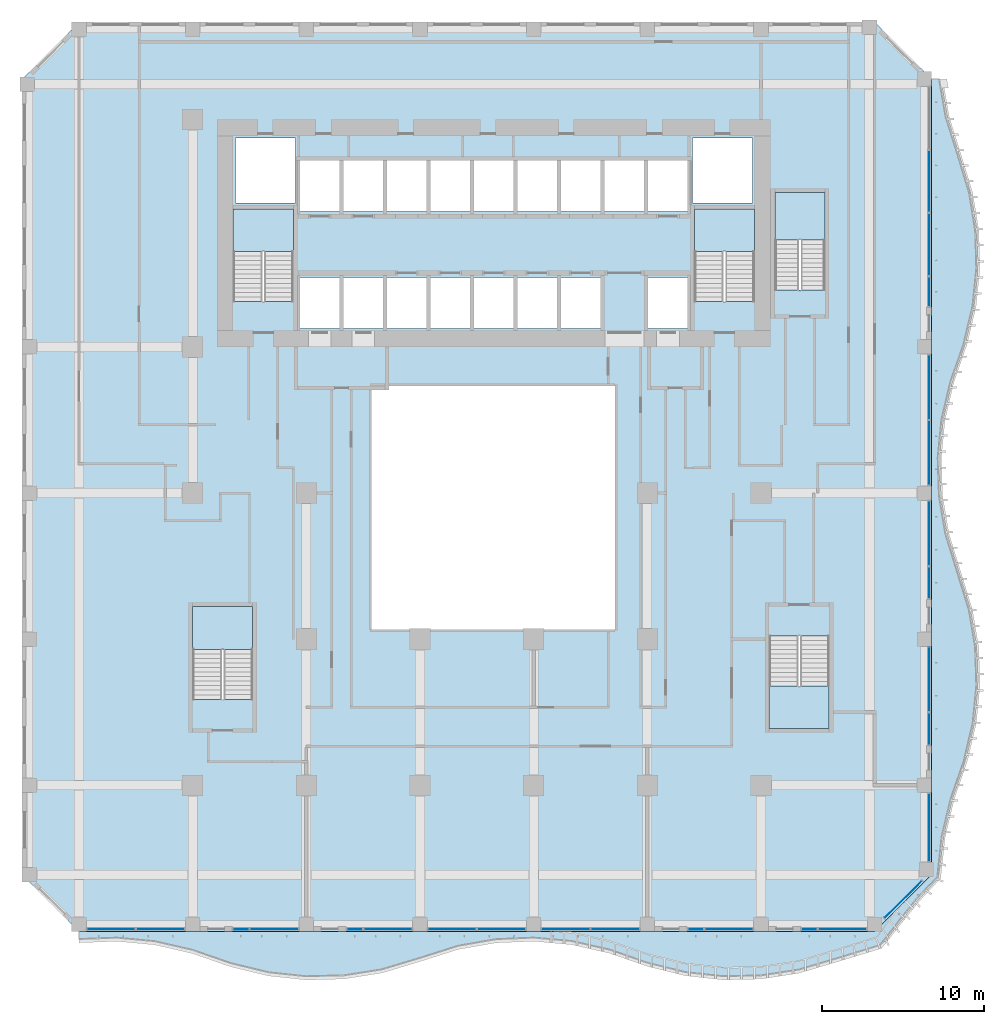
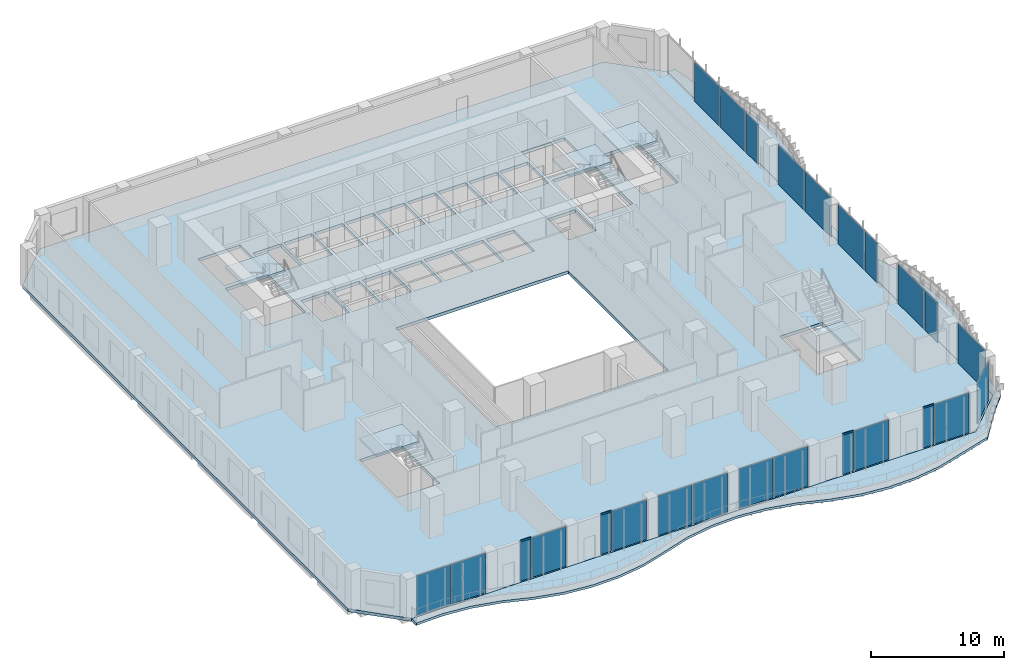
# One storey, part 9 of 25: 25 plates, 7 slabs, 4 members, 30 elements without a shape of their own.
"""IFC4 building model written with IfcOpenShell, lengths in metres."""

import ifcopenshell
import ifcopenshell.guid

model = None  # the IFC model being written
_history = None  # IfcOwnerHistory: only IFC2X3 demands one
_inside = {}  # id of a spatial element -> (the spatial element, [elements in it])
_under = {}  # id of a project, library or spatial element -> (it, [spatial elements below it])
_declared = {}  # id of a project -> (the project, [libraries it declares])
_typed = {}  # id of a type object -> (the type object, [elements of that type])
_made_of = {}  # id of a material, layer set ... -> (it, [elements and type objects made of it])


def new_model(schema):
    """Start an empty IFC model of exactly this schema.

    Asked for "IFC4X3", IfcOpenShell would pick the latest addendum, in which some entities
    have other attributes; the version numbers below select the first issue.
    IFC2X3 requires an IfcOwnerHistory on every rooted entity: one is made here for all.
    """
    global model, _history
    if schema == "IFC4X3":
        model = ifcopenshell.file(schema_version=(4, 3, 0, 0))
    else:
        model = ifcopenshell.file(schema=schema)
    _inside.clear()
    _under.clear()
    _declared.clear()
    _typed.clear()
    _made_of.clear()
    _history = None
    if model.schema == "IFC2X3":
        org = make("IfcOrganization", Name="unknown")
        user = make(
            "IfcPersonAndOrganization",
            ThePerson=make("IfcPerson", FamilyName="unknown"),
            TheOrganization=org,
        )
        app = make(
            "IfcApplication",
            ApplicationDeveloper=org,
            Version="unknown",
            ApplicationFullName="unknown",
            ApplicationIdentifier="unknown",
        )
        _history = make(
            "IfcOwnerHistory",
            OwningUser=user,
            OwningApplication=app,
            ChangeAction="ADDED",
            CreationDate=0,
        )
    return model


def make(cls, **values):
    """One entity of the class cls with the attributes given. An attribute that is None is left unset."""
    return model.create_entity(
        cls, **{name: value for name, value in values.items() if value is not None}
    )


def rooted(cls, **values):
    """An entity with a GlobalId (a new one), such as an element, a storey or a relation."""
    return make(cls, GlobalId=ifcopenshell.guid.new(), OwnerHistory=_history, **values)


def si_unit(unit_type, name, prefix=None):
    """IfcSIUnit, for example si_unit("LENGTHUNIT", "METRE", prefix="MILLI")."""
    return make("IfcSIUnit", UnitType=unit_type, Prefix=prefix, Name=name)


def assignment(units):
    """IfcUnitAssignment: the units of a project."""
    return None if units is None else make("IfcUnitAssignment", Units=units)


def point(xyz):
    """IfcCartesianPoint."""
    return None if xyz is None else make("IfcCartesianPoint", Coordinates=xyz)


def direction(xyz):
    """IfcDirection."""
    return None if xyz is None else make("IfcDirection", DirectionRatios=xyz)


def frame(location, z_axis=None, x_axis=None):
    """IfcAxis2Placement3D, a coordinate frame: its origin and axes. An axis left out is left unset."""
    return make(
        "IfcAxis2Placement3D",
        Location=point(location),
        Axis=direction(z_axis),
        RefDirection=direction(x_axis),
    )


def frame_2d(location, x_axis=None):
    """IfcAxis2Placement2D, a coordinate frame in the plane: its origin and x axis."""
    return make(
        "IfcAxis2Placement2D", Location=point(location), RefDirection=direction(x_axis)
    )


def origin():
    """The frame at (0, 0, 0) with its axes left unset."""
    return frame((0.0, 0.0, 0.0))


def origin_2d():
    """The frame at (0, 0) in the plane with its x axis left unset."""
    return frame_2d((0.0, 0.0))


def place(relative_to, where):
    """IfcLocalPlacement: puts the frame where relative to a parent placement (None: the world)."""
    return make(
        "IfcLocalPlacement", PlacementRelTo=relative_to, RelativePlacement=where
    )


def context(
    kind, dimensions, precision=None, world=None, true_north=None, identifier=None
):
    """IfcGeometricRepresentationContext, for example the 3D "Model" context."""
    return make(
        "IfcGeometricRepresentationContext",
        ContextIdentifier=identifier,
        ContextType=kind,
        CoordinateSpaceDimension=dimensions,
        Precision=precision,
        WorldCoordinateSystem=world,
        TrueNorth=true_north,
    )


def subcontext(parent, identifier, kind, view, scale=None):
    """IfcGeometricRepresentationSubContext, for example "Body" below "Model"."""
    return make(
        "IfcGeometricRepresentationSubContext",
        ContextIdentifier=identifier,
        ContextType=kind,
        ParentContext=parent,
        TargetScale=scale,
        TargetView=view,
    )


def project(units=None, contexts=None):
    """IfcProject with its units and contexts."""
    return rooted(
        "IfcProject",
        Name="project",
        RepresentationContexts=contexts,
        UnitsInContext=assignment(units),
    )


def spatial(cls, under=None, at=None, **own):
    """A site, building, storey or space (cls), placed at a placement, below another one or the project."""
    s = rooted(cls, ObjectPlacement=at, **own)
    if under is not None:
        _under.setdefault(under.id(), (under, []))[1].append(s)
    return s


def polyline(points):
    """IfcPolyline through the points."""
    return make("IfcPolyline", Points=[point(p) for p in points])


def profile(cls, at=None, kind="AREA", **sizes):
    """A parametric profile (cls). Its sizes go by their IFC names, for example OverallWidth=200.0."""
    return make(cls, ProfileType=kind, Position=at, **sizes)


def rectangle(**sizes):
    """IfcRectangleProfileDef."""
    return profile("IfcRectangleProfileDef", **sizes)


def outline(outer, holes=None, kind="AREA"):
    """IfcArbitraryClosedProfileDef: a profile drawn as a closed curve; with holes, ...WithVoids."""
    if holes is None:
        return make("IfcArbitraryClosedProfileDef", ProfileType=kind, OuterCurve=outer)
    return make(
        "IfcArbitraryProfileDefWithVoids",
        ProfileType=kind,
        OuterCurve=outer,
        InnerCurves=holes,
    )


def extrude(swept, where, along, depth):
    """IfcExtrudedAreaSolid: the profile swept, set in the frame where, extruded along a direction by depth."""
    return make(
        "IfcExtrudedAreaSolid",
        SweptArea=swept,
        Position=where,
        ExtrudedDirection=direction(along),
        Depth=depth,
    )


def shape(context_of_items, identifier, shape_type, items):
    """IfcShapeRepresentation: the items that make up one representation, for example the "Body"."""
    return make(
        "IfcShapeRepresentation",
        ContextOfItems=context_of_items,
        RepresentationIdentifier=identifier,
        RepresentationType=shape_type,
        Items=items,
    )


def source(mapping_origin, context_of_items, identifier, shape_type, items):
    """IfcRepresentationMap: a shape defined once, which mapped items show again and again."""
    return make(
        "IfcRepresentationMap",
        MappingOrigin=mapping_origin,
        MappedRepresentation=shape(context_of_items, identifier, shape_type, items),
    )


def transform(
    local_origin,
    x_axis=None,
    y_axis=None,
    z_axis=None,
    scale=None,
    scale2=None,
    scale3=None,
    uniform=True,
):
    """IfcCartesianTransformationOperator3D, or its non-uniform kind. x_axis, y_axis, z_axis: its Axis1, 2, 3."""
    if uniform:
        return make(
            "IfcCartesianTransformationOperator3D",
            Axis1=direction(x_axis),
            Axis2=direction(y_axis),
            LocalOrigin=point(local_origin),
            Scale=scale,
            Axis3=direction(z_axis),
        )
    return make(
        "IfcCartesianTransformationOperator3DnonUniform",
        Axis1=direction(x_axis),
        Axis2=direction(y_axis),
        LocalOrigin=point(local_origin),
        Scale=scale,
        Axis3=direction(z_axis),
        Scale2=scale2,
        Scale3=scale3,
    )


def mapped(mapping_source, mapping_target):
    """IfcMappedItem: shows the shape of a source again, moved by a transform."""
    return make(
        "IfcMappedItem", MappingSource=mapping_source, MappingTarget=mapping_target
    )


def material(Name=None, Category=None):
    """IfcMaterial."""
    return make("IfcMaterial", Name=Name, Category=Category)


def layer(
    of_material, thickness, ventilated=None, Name=None, Category=None, Priority=None
):
    """IfcMaterialLayer: one layer of a wall or slab, of a material (None: an air gap)."""
    return make(
        "IfcMaterialLayer",
        Material=of_material,
        LayerThickness=thickness,
        IsVentilated=ventilated,
        Name=Name,
        Category=Category,
        Priority=Priority,
    )


def layer_set(layers, Name=None):
    """IfcMaterialLayerSet."""
    return make("IfcMaterialLayerSet", MaterialLayers=layers, LayerSetName=Name)


def material_profile(
    of_material, cross_section, Name=None, Category=None, Priority=None
):
    """IfcMaterialProfile: a cross section and its material."""
    return make(
        "IfcMaterialProfile",
        Name=Name,
        Material=of_material,
        Profile=cross_section,
        Priority=Priority,
        Category=Category,
    )


def profile_set(profiles, Name=None, composite=None):
    """IfcMaterialProfileSet."""
    return make(
        "IfcMaterialProfileSet",
        Name=Name,
        MaterialProfiles=profiles,
        CompositeProfile=composite,
    )


def made_of(thing, what):
    """Note that an element or type object is made of a material, layer set ...; save() writes the relation."""
    if what is not None:
        _made_of.setdefault(what.id(), (what, []))[1].append(thing)
    return thing


def type_object(cls, material=None, **own):
    """A type object (cls), such as IfcWallType, which elements share."""
    return made_of(rooted(cls, **own), material)


def element(
    cls,
    number,
    at=None,
    inside=None,
    cuts=None,
    type_object=None,
    material=None,
    context=None,
    identifier="Body",
    shape_type=None,
    held_by="IfcProductDefinitionShape",
    body=None,
    shapes=None,
    **own,
):
    """One element of the class cls, such as IfcWall. Its Tag is "e" and its number.

    at: its placement. inside: the storey or other place that contains it. cuts: it is an
    opening in that element (IfcRelVoidsElement). A single representation is given by context,
    identifier, shape_type and body (its items); several are given by shapes. held_by: the class
    of the entity that holds the representations. save() writes the other relations.
    """
    e = rooted(cls, Tag="e%d" % number, ObjectPlacement=at, **own)
    if body is not None:
        shapes = [shape(context, identifier, shape_type, body)]
    if shapes is not None:
        e.Representation = make(held_by, Representations=shapes)
    if inside is not None:
        _inside.setdefault(inside.id(), (inside, []))[1].append(e)
    if cuts is not None:
        rooted(
            "IfcRelVoidsElement", RelatingBuildingElement=cuts, RelatedOpeningElement=e
        )
    if type_object is not None:
        _typed.setdefault(type_object.id(), (type_object, []))[1].append(e)
    return made_of(e, material)


def aggregate(whole, parts):
    """IfcRelAggregates: a whole, such as a stair, and the parts it consists of."""
    return rooted("IfcRelAggregates", RelatingObject=whole, RelatedObjects=parts)


def save(model, path):
    """Write the relations noted so far, then the file.

    IfcRelAggregates (storeys below a building ...), IfcRelContainedInSpatialStructure (elements
    in a storey), IfcRelDefinesByType, IfcRelAssociatesMaterial and IfcRelDeclares: one each for
    every whole, place, type object, material and project.
    """
    for whole, parts in _under.values():
        aggregate(whole, parts)
    for where, things in _inside.values():
        rooted(
            "IfcRelContainedInSpatialStructure",
            RelatedElements=things,
            RelatingStructure=where,
        )
    for kind, things in _typed.values():
        rooted("IfcRelDefinesByType", RelatedObjects=things, RelatingType=kind)
    for what, things in _made_of.values():
        rooted("IfcRelAssociatesMaterial", RelatedObjects=things, RelatingMaterial=what)
    for by, libraries in _declared.values():
        rooted("IfcRelDeclares", RelatingContext=by, RelatedDefinitions=libraries)
    model.write(path)


model = new_model("IFC4")

# Units and contexts
model_context = context("Model", 3, precision=1e-05, world=origin(), true_north=direction((0.0, 1.0)))
body_context = subcontext(model_context, "Body", "Model", "MODEL_VIEW")
ifc_project = project(units=[si_unit("LENGTHUNIT", "METRE"), si_unit("AREAUNIT", "SQUARE_METRE"), si_unit("VOLUMEUNIT", "CUBIC_METRE"), si_unit("PLANEANGLEUNIT", "RADIAN"), si_unit("MASSUNIT", "GRAM", prefix="KILO")], contexts=[model_context])

# Site, building, storey
site_placement = place(None, origin())
site = spatial("IfcSite", under=ifc_project, at=site_placement, CompositionType="ELEMENT")
building_placement = place(site_placement, origin())
building = spatial("IfcBuilding", under=site, at=building_placement, Name="Kilnfold Tower and Market Hall", CompositionType="ELEMENT")
storey_placement = place(building_placement, frame((0.0, 0.0, 39.0)))
storey = spatial("IfcBuildingStorey", under=building, at=storey_placement, Name="L08", CompositionType="ELEMENT", Elevation=39.0)

# Curtain wall, member
ifc_material_1 = material(Name="Aluminium and double glazing", Category="aluminium")
curtain_wall_type = type_object("IfcCurtainWallType", Name="CW OF1 VALLEY GLAZING", PredefinedType="NOTDEFINED", material=ifc_material_1)
curtain_wall_1_placement = place(storey_placement, origin())
curtain_wall_1 = element("IfcCurtainWall", 1, at=curtain_wall_1_placement, inside=storey, type_object=curtain_wall_type, Name="Curtain wall CW1 L08 S", PredefinedType="NOTDEFINED")
ifc_material_2 = material(Name="Aluminium", Category="aluminium")
ifc_material_profile = material_profile(ifc_material_2, rectangle(XDim=0.06005859375, YDim=0.139892578125, at=origin_2d()), Name="TRANSOM 60x140")
ifc_profile_set = profile_set([ifc_material_profile], Name="Aluminium")
member_type = type_object("IfcMemberType", Name="TRANSOM 60X140", PredefinedType="USERDEFINED", material=ifc_profile_set)
shared_shape_1 = source(origin(), body_context, "Body", "SweptSolid", [
    extrude(rectangle(XDim=0.06005859375, YDim=0.139892578125, at=origin_2d()), origin(), (0.0, 0.0, 1.0), 0.929931640625),
])
member_1_placement = place(storey_placement, frame((-14.989990234375, -27.85009765625, 3.68994140625), z_axis=(1.0, 0.0, 0.0), x_axis=(0.0, 1.0, 0.0)))
member_1 = element("IfcMember", 2, at=member_1_placement, type_object=member_type, Name="CW1 transom 1.2", ObjectType="TRANSOM", PredefinedType="USERDEFINED", context=body_context, shape_type="MappedRepresentation", body=[
    mapped(shared_shape_1, transform((0.0, 0.0, 0.0))),
])

curtain_wall_2_placement = place(storey_placement, origin())
curtain_wall_2 = element("IfcCurtainWall", 3, at=curtain_wall_2_placement, inside=storey, type_object=curtain_wall_type, Name="Curtain wall CW1 L08 S", PredefinedType="NOTDEFINED")
member_2_placement = place(storey_placement, frame((-7.989990234375, -27.85009765625, 3.68994140625), z_axis=(1.0, 0.0, 0.0), x_axis=(0.0, 1.0, 0.0)))
member_2 = element("IfcMember", 4, at=member_2_placement, type_object=member_type, Name="CW1 transom 1.2", ObjectType="TRANSOM", PredefinedType="USERDEFINED", context=body_context, shape_type="MappedRepresentation", body=[
    mapped(shared_shape_1, transform((0.0, 0.0, 0.0))),
])

curtain_wall_3_placement = place(storey_placement, origin())
curtain_wall_3 = element("IfcCurtainWall", 5, at=curtain_wall_3_placement, inside=storey, type_object=curtain_wall_type, Name="Curtain wall CW1 L08 S", PredefinedType="NOTDEFINED")
member_3_placement = place(storey_placement, frame((13.010009765625, -27.85009765625, 3.68994140625), z_axis=(1.0, 0.0, 0.0), x_axis=(0.0, 1.0, 0.0)))
member_3 = element("IfcMember", 6, at=member_3_placement, type_object=member_type, Name="CW1 transom 1.2", ObjectType="TRANSOM", PredefinedType="USERDEFINED", context=body_context, shape_type="MappedRepresentation", body=[
    mapped(shared_shape_1, transform((0.0, 0.0, 0.0))),
])

curtain_wall_4_placement = place(storey_placement, origin())
curtain_wall_4 = element("IfcCurtainWall", 7, at=curtain_wall_4_placement, inside=storey, type_object=curtain_wall_type, Name="Curtain wall CW1 L08 S", PredefinedType="NOTDEFINED")
member_4_placement = place(storey_placement, frame((20.010009765625, -27.85009765625, 3.68994140625), z_axis=(1.0, 0.0, 0.0), x_axis=(0.0, 1.0, 0.0)))
member_4 = element("IfcMember", 8, at=member_4_placement, type_object=member_type, Name="CW1 transom 1.2", ObjectType="TRANSOM", PredefinedType="USERDEFINED", context=body_context, shape_type="MappedRepresentation", body=[
    mapped(shared_shape_1, transform((0.0, 0.0, 0.0))),
])

# Slab
ifc_material_3 = material(Name="Concrete C45", Category="concrete")
ifc_layer_1 = layer(ifc_material_3, 0.280029296875)
ifc_layer_set_1 = layer_set([ifc_layer_1], Name="Concrete C45")
slab_type_1 = type_object("IfcSlabType", Name="FLOOR SLAB 280", PredefinedType="FLOOR", material=ifc_layer_set_1)
shared_shape_2 = source(origin(), body_context, "Body", "SweptSolid", [
    extrude(outline(polyline([(-24.5, -28.0), (24.5, -28.0), (28.0, -24.5), (28.0, 24.5), (24.5, 28.0), (-24.5, 28.0), (-28.0, 24.5), (-28.0, -24.5), (-24.5, -28.0)]), holes=[polyline([(-13.800537109375, -13.699462890625), (-17.49951171875, -13.699462890625), (-17.49951171875, -8.00048828125), (-13.800537109375, -8.00048828125), (-13.800537109375, -13.699462890625)]), polyline([(-11.300537109375, 10.800537109375), (-14.99951171875, 10.800537109375), (-14.99951171875, 16.49951171875), (-11.300537109375, 16.49951171875), (-11.300537109375, 10.800537109375)]), polyline([(-11.175048828125, 16.875), (-14.875, 16.875), (-14.875, 20.875), (-11.175048828125, 20.875), (-11.175048828125, 16.875)]), polyline([(-10.885009765625, 9.125), (-10.885009765625, 12.27490234375), (-8.455078125, 12.27490234375), (-8.455078125, 9.125), (-10.885009765625, 9.125)]), polyline([(-10.885009765625, 16.324951171875), (-10.885009765625, 19.47509765625), (-8.455078125, 19.47509765625), (-8.455078125, 16.324951171875), (-10.885009765625, 16.324951171875)]), polyline([(-5.77490234375, 9.125), (-8.205078125, 9.125), (-8.205078125, 12.27490234375), (-5.77490234375, 12.27490234375), (-5.77490234375, 9.125)]), polyline([(-8.205078125, 16.324951171875), (-8.205078125, 19.47509765625), (-5.77490234375, 19.47509765625), (-5.77490234375, 16.324951171875), (-8.205078125, 16.324951171875)]), polyline([(-6.5, -9.39990234375), (-6.5, 5.60009765625), (8.5, 5.60009765625), (8.5, -9.39990234375), (-6.5, -9.39990234375)]), polyline([(-5.52490234375, 9.125), (-5.52490234375, 12.27490234375), (-3.094970703125, 12.27490234375), (-3.094970703125, 9.125), (-5.52490234375, 9.125)]), polyline([(-3.094970703125, 16.324951171875), (-5.52490234375, 16.324951171875), (-5.52490234375, 19.47509765625), (-3.094970703125, 19.47509765625), (-3.094970703125, 16.324951171875)]), polyline([(-2.844970703125, 9.125), (-2.844970703125, 12.27490234375), (-0.4150390625, 12.27490234375), (-0.4150390625, 9.125), (-2.844970703125, 9.125)]), polyline([(-2.844970703125, 16.324951171875), (-2.844970703125, 19.47509765625), (-0.4150390625, 19.47509765625), (-0.4150390625, 16.324951171875), (-2.844970703125, 16.324951171875)]), polyline([(-0.1650390625, 9.125), (-0.1650390625, 12.27490234375), (2.264892578125, 12.27490234375), (2.264892578125, 9.125), (-0.1650390625, 9.125)]), polyline([(-0.1650390625, 16.324951171875), (-0.1650390625, 19.47509765625), (2.264892578125, 19.47509765625), (2.264892578125, 16.324951171875), (-0.1650390625, 16.324951171875)]), polyline([(4.945068359375, 9.125), (2.514892578125, 9.125), (2.514892578125, 12.27490234375), (4.945068359375, 12.27490234375), (4.945068359375, 9.125)]), polyline([(2.514892578125, 16.324951171875), (2.514892578125, 19.47509765625), (4.945068359375, 19.47509765625), (4.945068359375, 16.324951171875), (2.514892578125, 16.324951171875)]), polyline([(5.195068359375, 9.125), (5.195068359375, 12.27490234375), (7.625, 12.27490234375), (7.625, 9.125), (5.195068359375, 9.125)]), polyline([(5.195068359375, 16.324951171875), (5.195068359375, 19.47509765625), (7.625, 19.47509765625), (7.625, 16.324951171875), (5.195068359375, 16.324951171875)]), polyline([(7.875, 16.324951171875), (7.875, 19.47509765625), (10.304931640625, 19.47509765625), (10.304931640625, 16.324951171875), (7.875, 16.324951171875)]), polyline([(10.554931640625, 9.125), (10.554931640625, 12.27490234375), (12.985107421875, 12.27490234375), (12.985107421875, 9.125), (10.554931640625, 9.125)]), polyline([(10.554931640625, 16.324951171875), (10.554931640625, 19.47509765625), (12.985107421875, 19.47509765625), (12.985107421875, 16.324951171875), (10.554931640625, 16.324951171875)]), polyline([(13.27490234375, 16.875), (13.27490234375, 20.875), (16.97509765625, 20.875), (16.97509765625, 16.875), (13.27490234375, 16.875)]), polyline([(17.099609375, 10.800537109375), (13.400390625, 10.800537109375), (13.400390625, 16.49951171875), (17.099609375, 16.49951171875), (17.099609375, 10.800537109375)]), polyline([(21.699462890625, -9.800537109375), (21.699462890625, -15.49951171875), (18.00048828125, -15.49951171875), (18.00048828125, -9.800537109375), (21.699462890625, -9.800537109375)]), polyline([(18.3505859375, 11.50048828125), (18.3505859375, 17.49951171875), (21.449462890625, 17.49951171875), (21.449462890625, 11.50048828125), (18.3505859375, 11.50048828125)])]), origin(), (0.0, 0.0, 1.0), 0.280029296875),
])
slab_1_placement = place(storey_placement, frame((0.0, 0.0, -0.280029296875)))
element("IfcSlab", 9, at=slab_1_placement, inside=storey, type_object=slab_type_1, Name="Floor slab L08", PredefinedType="FLOOR", context=body_context, shape_type="MappedRepresentation", body=[
    mapped(shared_shape_2, transform((0.0, 0.0, 0.0))),
])

# Plate
ifc_material_4 = material(Name="Double glazed unit")
ifc_layer_2 = layer(ifc_material_4, 0.031982421875)
ifc_layer_set_2 = layer_set([ifc_layer_2], Name="Double glazed unit")
plate_type = type_object("IfcPlateType", Name="GLAZING PANEL 32", PredefinedType="CURTAIN_PANEL", material=ifc_layer_set_2)
shared_shape_3 = source(origin(), body_context, "Body", "SweptSolid", [
    extrude(rectangle(XDim=0.929931640625, YDim=0.031982421875, at=origin_2d()), origin(), (0.0, 0.0, 1.0), 3.659912109375),
])
plate_1_placement = place(storey_placement, frame((-14.52490234375, -27.85009765625, 0.0), z_axis=(0.0, 0.0, 1.0), x_axis=(1.0, 0.0, 0.0)))
plate_1 = element("IfcPlate", 10, at=plate_1_placement, type_object=plate_type, Name="CW1 panel 1.1", PredefinedType="CURTAIN_PANEL", context=body_context, shape_type="MappedRepresentation", body=[
    mapped(shared_shape_3, transform((0.0, 0.0, 0.0))),
])

aggregate(curtain_wall_1, [member_1, plate_1])

plate_2_placement = place(storey_placement, frame((-7.52490234375, -27.85009765625, 0.0), z_axis=(0.0, 0.0, 1.0), x_axis=(1.0, 0.0, 0.0)))
plate_2 = element("IfcPlate", 11, at=plate_2_placement, type_object=plate_type, Name="CW1 panel 1.1", PredefinedType="CURTAIN_PANEL", context=body_context, shape_type="MappedRepresentation", body=[
    mapped(shared_shape_3, transform((0.0, 0.0, 0.0))),
])

aggregate(curtain_wall_2, [member_2, plate_2])

plate_3_placement = place(storey_placement, frame((13.47509765625, -27.85009765625, 0.0), z_axis=(0.0, 0.0, 1.0), x_axis=(1.0, 0.0, 0.0)))
plate_3 = element("IfcPlate", 12, at=plate_3_placement, type_object=plate_type, Name="CW1 panel 1.1", PredefinedType="CURTAIN_PANEL", context=body_context, shape_type="MappedRepresentation", body=[
    mapped(shared_shape_3, transform((0.0, 0.0, 0.0))),
])

aggregate(curtain_wall_3, [member_3, plate_3])

plate_4_placement = place(storey_placement, frame((20.47509765625, -27.85009765625, 0.0), z_axis=(0.0, 0.0, 1.0), x_axis=(1.0, 0.0, 0.0)))
plate_4 = element("IfcPlate", 13, at=plate_4_placement, type_object=plate_type, Name="CW1 panel 1.1", PredefinedType="CURTAIN_PANEL", context=body_context, shape_type="MappedRepresentation", body=[
    mapped(shared_shape_3, transform((0.0, 0.0, 0.0))),
])

aggregate(curtain_wall_4, [member_4, plate_4])

# Curtain wall, plate
curtain_wall_5_placement = place(storey_placement, origin())
curtain_wall_5 = element("IfcCurtainWall", 14, at=curtain_wall_5_placement, inside=storey, type_object=curtain_wall_type, Name="Curtain wall CW1 L08 S", PredefinedType="NOTDEFINED")
shared_shape_4 = source(origin(), body_context, "Body", "SweptSolid", [
    extrude(rectangle(XDim=2.929931640625, YDim=0.031982421875, at=origin_2d()), origin(), (0.0, 0.0, 1.0), 3.659912109375),
])
plate_5_placement = place(storey_placement, frame((-22.52490234375, -27.85009765625, 0.0), z_axis=(0.0, 0.0, 1.0), x_axis=(1.0, 0.0, 0.0)))
plate_5 = element("IfcPlate", 15, at=plate_5_placement, type_object=plate_type, Name="CW1 panel 1.1", PredefinedType="CURTAIN_PANEL", context=body_context, shape_type="MappedRepresentation", body=[
    mapped(shared_shape_4, transform((0.0, 0.0, 0.0))),
])
aggregate(curtain_wall_5, [plate_5])

curtain_wall_6_placement = place(storey_placement, origin())
curtain_wall_6 = element("IfcCurtainWall", 16, at=curtain_wall_6_placement, inside=storey, type_object=curtain_wall_type, Name="Curtain wall CW1 L08 S", PredefinedType="NOTDEFINED")
plate_6_placement = place(storey_placement, frame((-19.47509765625, -27.85009765625, 0.0), z_axis=(0.0, 0.0, 1.0), x_axis=(1.0, 0.0, 0.0)))
plate_6 = element("IfcPlate", 17, at=plate_6_placement, type_object=plate_type, Name="CW1 panel 1.1", PredefinedType="CURTAIN_PANEL", context=body_context, shape_type="MappedRepresentation", body=[
    mapped(shared_shape_4, transform((0.0, 0.0, 0.0))),
])
aggregate(curtain_wall_6, [plate_6])

curtain_wall_7_placement = place(storey_placement, origin())
curtain_wall_7 = element("IfcCurtainWall", 18, at=curtain_wall_7_placement, inside=storey, type_object=curtain_wall_type, Name="Curtain wall CW1 L08 S", PredefinedType="NOTDEFINED")
plate_7_placement = place(storey_placement, frame((-12.47509765625, -27.85009765625, 0.0), z_axis=(0.0, 0.0, 1.0), x_axis=(1.0, 0.0, 0.0)))
plate_7 = element("IfcPlate", 19, at=plate_7_placement, type_object=plate_type, Name="CW1 panel 1.1", PredefinedType="CURTAIN_PANEL", context=body_context, shape_type="MappedRepresentation", body=[
    mapped(shared_shape_4, transform((0.0, 0.0, 0.0))),
])
aggregate(curtain_wall_7, [plate_7])

curtain_wall_8_placement = place(storey_placement, origin())
curtain_wall_8 = element("IfcCurtainWall", 20, at=curtain_wall_8_placement, inside=storey, type_object=curtain_wall_type, Name="Curtain wall CW1 L08 S", PredefinedType="NOTDEFINED")
plate_8_placement = place(storey_placement, frame((-5.47509765625, -27.85009765625, 0.0), z_axis=(0.0, 0.0, 1.0), x_axis=(1.0, 0.0, 0.0)))
plate_8 = element("IfcPlate", 21, at=plate_8_placement, type_object=plate_type, Name="CW1 panel 1.1", PredefinedType="CURTAIN_PANEL", context=body_context, shape_type="MappedRepresentation", body=[
    mapped(shared_shape_4, transform((0.0, 0.0, 0.0))),
])
aggregate(curtain_wall_8, [plate_8])

curtain_wall_9_placement = place(storey_placement, origin())
curtain_wall_9 = element("IfcCurtainWall", 22, at=curtain_wall_9_placement, inside=storey, type_object=curtain_wall_type, Name="Curtain wall CW1 L08 S", PredefinedType="NOTDEFINED")
plate_9_placement = place(storey_placement, frame((-1.52490234375, -27.85009765625, 0.0), z_axis=(0.0, 0.0, 1.0), x_axis=(1.0, 0.0, 0.0)))
plate_9 = element("IfcPlate", 23, at=plate_9_placement, type_object=plate_type, Name="CW1 panel 1.1", PredefinedType="CURTAIN_PANEL", context=body_context, shape_type="MappedRepresentation", body=[
    mapped(shared_shape_4, transform((0.0, 0.0, 0.0))),
])
aggregate(curtain_wall_9, [plate_9])

curtain_wall_10_placement = place(storey_placement, origin())
curtain_wall_10 = element("IfcCurtainWall", 24, at=curtain_wall_10_placement, inside=storey, type_object=curtain_wall_type, Name="Curtain wall CW1 L08 S", PredefinedType="NOTDEFINED")
plate_10_placement = place(storey_placement, frame((1.52490234375, -27.85009765625, 0.0), z_axis=(0.0, 0.0, 1.0), x_axis=(1.0, 0.0, 0.0)))
plate_10 = element("IfcPlate", 25, at=plate_10_placement, type_object=plate_type, Name="CW1 panel 1.1", PredefinedType="CURTAIN_PANEL", context=body_context, shape_type="MappedRepresentation", body=[
    mapped(shared_shape_4, transform((0.0, 0.0, 0.0))),
])
aggregate(curtain_wall_10, [plate_10])

curtain_wall_11_placement = place(storey_placement, origin())
curtain_wall_11 = element("IfcCurtainWall", 26, at=curtain_wall_11_placement, inside=storey, type_object=curtain_wall_type, Name="Curtain wall CW1 L08 S", PredefinedType="NOTDEFINED")
plate_11_placement = place(storey_placement, frame((5.47509765625, -27.85009765625, 0.0), z_axis=(0.0, 0.0, 1.0), x_axis=(1.0, 0.0, 0.0)))
plate_11 = element("IfcPlate", 27, at=plate_11_placement, type_object=plate_type, Name="CW1 panel 1.1", PredefinedType="CURTAIN_PANEL", context=body_context, shape_type="MappedRepresentation", body=[
    mapped(shared_shape_4, transform((0.0, 0.0, 0.0))),
])
aggregate(curtain_wall_11, [plate_11])

curtain_wall_12_placement = place(storey_placement, origin())
curtain_wall_12 = element("IfcCurtainWall", 28, at=curtain_wall_12_placement, inside=storey, type_object=curtain_wall_type, Name="Curtain wall CW1 L08 S", PredefinedType="NOTDEFINED")
plate_12_placement = place(storey_placement, frame((8.52490234375, -27.85009765625, 0.0), z_axis=(0.0, 0.0, 1.0), x_axis=(1.0, 0.0, 0.0)))
plate_12 = element("IfcPlate", 29, at=plate_12_placement, type_object=plate_type, Name="CW1 panel 1.1", PredefinedType="CURTAIN_PANEL", context=body_context, shape_type="MappedRepresentation", body=[
    mapped(shared_shape_4, transform((0.0, 0.0, 0.0))),
])
aggregate(curtain_wall_12, [plate_12])

curtain_wall_13_placement = place(storey_placement, origin())
curtain_wall_13 = element("IfcCurtainWall", 30, at=curtain_wall_13_placement, inside=storey, type_object=curtain_wall_type, Name="Curtain wall CW1 L08 S", PredefinedType="NOTDEFINED")
plate_13_placement = place(storey_placement, frame((15.52490234375, -27.85009765625, 0.0), z_axis=(0.0, 0.0, 1.0), x_axis=(1.0, 0.0, 0.0)))
plate_13 = element("IfcPlate", 31, at=plate_13_placement, type_object=plate_type, Name="CW1 panel 1.1", PredefinedType="CURTAIN_PANEL", context=body_context, shape_type="MappedRepresentation", body=[
    mapped(shared_shape_4, transform((0.0, 0.0, 0.0))),
])
aggregate(curtain_wall_13, [plate_13])

curtain_wall_14_placement = place(storey_placement, origin())
curtain_wall_14 = element("IfcCurtainWall", 32, at=curtain_wall_14_placement, inside=storey, type_object=curtain_wall_type, Name="Curtain wall CW1 L08 S", PredefinedType="NOTDEFINED")
plate_14_placement = place(storey_placement, frame((22.52490234375, -27.85009765625, 0.0), z_axis=(0.0, 0.0, 1.0), x_axis=(1.0, 0.0, 0.0)))
plate_14 = element("IfcPlate", 33, at=plate_14_placement, type_object=plate_type, Name="CW1 panel 1.1", PredefinedType="CURTAIN_PANEL", context=body_context, shape_type="MappedRepresentation", body=[
    mapped(shared_shape_4, transform((0.0, 0.0, 0.0))),
])
aggregate(curtain_wall_14, [plate_14])

curtain_wall_15_placement = place(storey_placement, origin())
curtain_wall_15 = element("IfcCurtainWall", 34, at=curtain_wall_15_placement, inside=storey, type_object=curtain_wall_type, Name="Curtain wall CW1 L08 E", PredefinedType="NOTDEFINED")
shared_shape_5 = source(origin(), body_context, "Body", "SweptSolid", [
    extrude(rectangle(XDim=3.929931640625, YDim=0.031982421875, at=origin_2d()), origin(), (0.0, 0.0, 1.0), 3.659912109375),
])
plate_15_placement = place(storey_placement, frame((27.85009765625, -12.47509765625, 0.0), z_axis=(0.0, 0.0, 1.0), x_axis=(0.0, 1.0, 0.0)))
plate_15 = element("IfcPlate", 35, at=plate_15_placement, type_object=plate_type, Name="CW1 panel 1.1", PredefinedType="CURTAIN_PANEL", context=body_context, shape_type="MappedRepresentation", body=[
    mapped(shared_shape_5, transform((0.0, 0.0, 0.0))),
])
aggregate(curtain_wall_15, [plate_15])

curtain_wall_16_placement = place(storey_placement, origin())
curtain_wall_16 = element("IfcCurtainWall", 36, at=curtain_wall_16_placement, inside=storey, type_object=curtain_wall_type, Name="Curtain wall CW1 L08 E", PredefinedType="NOTDEFINED")
plate_16_placement = place(storey_placement, frame((27.85009765625, -3.47509765625, 0.0), z_axis=(0.0, 0.0, 1.0), x_axis=(0.0, 1.0, 0.0)))
plate_16 = element("IfcPlate", 37, at=plate_16_placement, type_object=plate_type, Name="CW1 panel 1.1", PredefinedType="CURTAIN_PANEL", context=body_context, shape_type="MappedRepresentation", body=[
    mapped(shared_shape_5, transform((0.0, 0.0, 0.0))),
])
aggregate(curtain_wall_16, [plate_16])

curtain_wall_17_placement = place(storey_placement, origin())
curtain_wall_17 = element("IfcCurtainWall", 38, at=curtain_wall_17_placement, inside=storey, type_object=curtain_wall_type, Name="Curtain wall CW1 L08 E", PredefinedType="NOTDEFINED")
plate_17_placement = place(storey_placement, frame((27.85009765625, 1.47509765625, 0.0), z_axis=(0.0, 0.0, 1.0), x_axis=(0.0, 1.0, 0.0)))
plate_17 = element("IfcPlate", 39, at=plate_17_placement, type_object=plate_type, Name="CW1 panel 1.1", PredefinedType="CURTAIN_PANEL", context=body_context, shape_type="MappedRepresentation", body=[
    mapped(shared_shape_5, transform((0.0, 0.0, 0.0))),
])
aggregate(curtain_wall_17, [plate_17])

curtain_wall_18_placement = place(storey_placement, origin())
curtain_wall_18 = element("IfcCurtainWall", 40, at=curtain_wall_18_placement, inside=storey, type_object=curtain_wall_type, Name="Curtain wall CW1 L08 E", PredefinedType="NOTDEFINED")
plate_18_placement = place(storey_placement, frame((27.85009765625, 5.52490234375, 0.0), z_axis=(0.0, 0.0, 1.0), x_axis=(0.0, 1.0, 0.0)))
plate_18 = element("IfcPlate", 41, at=plate_18_placement, type_object=plate_type, Name="CW1 panel 1.1", PredefinedType="CURTAIN_PANEL", context=body_context, shape_type="MappedRepresentation", body=[
    mapped(shared_shape_5, transform((0.0, 0.0, 0.0))),
])
aggregate(curtain_wall_18, [plate_18])

curtain_wall_19_placement = place(storey_placement, origin())
curtain_wall_19 = element("IfcCurtainWall", 42, at=curtain_wall_19_placement, inside=storey, type_object=curtain_wall_type, Name="Curtain wall CW1 L08 E", PredefinedType="NOTDEFINED")
shared_shape_6 = source(origin(), body_context, "Body", "SweptSolid", [
    extrude(rectangle(XDim=1.929931640625, YDim=0.031982421875, at=origin_2d()), origin(), (0.0, 0.0, 1.0), 3.659912109375),
])
plate_19_placement = place(storey_placement, frame((27.85009765625, -15.52490234375, 0.0), z_axis=(0.0, 0.0, 1.0), x_axis=(0.0, 1.0, 0.0)))
plate_19 = element("IfcPlate", 43, at=plate_19_placement, type_object=plate_type, Name="CW1 panel 1.1", PredefinedType="CURTAIN_PANEL", context=body_context, shape_type="MappedRepresentation", body=[
    mapped(shared_shape_6, transform((0.0, 0.0, 0.0))),
])
aggregate(curtain_wall_19, [plate_19])

curtain_wall_20_placement = place(storey_placement, origin())
curtain_wall_20 = element("IfcCurtainWall", 44, at=curtain_wall_20_placement, inside=storey, type_object=curtain_wall_type, Name="Curtain wall CW1 L08 E", PredefinedType="NOTDEFINED")
plate_20_placement = place(storey_placement, frame((27.85009765625, -6.52490234375, 0.0), z_axis=(0.0, 0.0, 1.0), x_axis=(0.0, 1.0, 0.0)))
plate_20 = element("IfcPlate", 45, at=plate_20_placement, type_object=plate_type, Name="CW1 panel 1.1", PredefinedType="CURTAIN_PANEL", context=body_context, shape_type="MappedRepresentation", body=[
    mapped(shared_shape_6, transform((0.0, 0.0, 0.0))),
])
aggregate(curtain_wall_20, [plate_20])

curtain_wall_21_placement = place(storey_placement, origin())
curtain_wall_21 = element("IfcCurtainWall", 46, at=curtain_wall_21_placement, inside=storey, type_object=curtain_wall_type, Name="Curtain wall CW1 L08 E", PredefinedType="NOTDEFINED")
shared_shape_7 = source(origin(), body_context, "Body", "SweptSolid", [
    extrude(rectangle(XDim=3.780029296875, YDim=0.031982421875, at=origin_2d()), origin(), (0.0, 0.0, 1.0), 3.659912109375),
])
plate_21_placement = place(storey_placement, frame((27.85009765625, 14.300048828125, 0.0), z_axis=(0.0, 0.0, 1.0), x_axis=(0.0, 1.0, 0.0)))
plate_21 = element("IfcPlate", 47, at=plate_21_placement, type_object=plate_type, Name="CW1 panel 1.1", PredefinedType="CURTAIN_PANEL", context=body_context, shape_type="MappedRepresentation", body=[
    mapped(shared_shape_7, transform((0.0, 0.0, 0.0))),
])
aggregate(curtain_wall_21, [plate_21])

curtain_wall_22_placement = place(storey_placement, origin())
curtain_wall_22 = element("IfcCurtainWall", 48, at=curtain_wall_22_placement, inside=storey, type_object=curtain_wall_type, Name="Curtain wall CW1 L08 E", PredefinedType="NOTDEFINED")
plate_22_placement = place(storey_placement, frame((27.85009765625, 18.199951171875, 0.0), z_axis=(0.0, 0.0, 1.0), x_axis=(0.0, 1.0, 0.0)))
plate_22 = element("IfcPlate", 49, at=plate_22_placement, type_object=plate_type, Name="CW1 panel 1.1", PredefinedType="CURTAIN_PANEL", context=body_context, shape_type="MappedRepresentation", body=[
    mapped(shared_shape_7, transform((0.0, 0.0, 0.0))),
])
aggregate(curtain_wall_22, [plate_22])

curtain_wall_23_placement = place(storey_placement, origin())
curtain_wall_23 = element("IfcCurtainWall", 50, at=curtain_wall_23_placement, inside=storey, type_object=curtain_wall_type, Name="Curtain wall CW1 L08 E", PredefinedType="NOTDEFINED")
shared_shape_8 = source(origin(), body_context, "Body", "SweptSolid", [
    extrude(rectangle(XDim=1.780029296875, YDim=0.031982421875, at=origin_2d()), origin(), (0.0, 0.0, 1.0), 3.659912109375),
])
plate_23_placement = place(storey_placement, frame((27.85009765625, 11.39990234375, 0.0), z_axis=(0.0, 0.0, 1.0), x_axis=(0.0, 1.0, 0.0)))
plate_23 = element("IfcPlate", 51, at=plate_23_placement, type_object=plate_type, Name="CW1 panel 1.1", PredefinedType="CURTAIN_PANEL", context=body_context, shape_type="MappedRepresentation", body=[
    mapped(shared_shape_8, transform((0.0, 0.0, 0.0))),
])
aggregate(curtain_wall_23, [plate_23])

curtain_wall_24_placement = place(storey_placement, origin())
curtain_wall_24 = element("IfcCurtainWall", 52, at=curtain_wall_24_placement, inside=storey, type_object=curtain_wall_type, Name="Curtain wall CW1 L08 E", PredefinedType="NOTDEFINED")
shared_shape_9 = source(origin(), body_context, "Body", "SweptSolid", [
    extrude(rectangle(XDim=4.161865234375, YDim=0.031982421875, at=origin_2d()), origin(), (0.0, 0.0, 1.0), 3.659912109375),
])
plate_24_placement = place(storey_placement, frame((27.85009765625, -21.5908203125, 0.0), z_axis=(0.0, 0.0, 1.0), x_axis=(0.0, 1.0, 0.0)))
plate_24 = element("IfcPlate", 53, at=plate_24_placement, type_object=plate_type, Name="CW1 panel 1.1", PredefinedType="CURTAIN_PANEL", context=body_context, shape_type="MappedRepresentation", body=[
    mapped(shared_shape_9, transform((0.0, 0.0, 0.0))),
])
aggregate(curtain_wall_24, [plate_24])

curtain_wall_25_placement = place(storey_placement, origin())
curtain_wall_25 = element("IfcCurtainWall", 54, at=curtain_wall_25_placement, inside=storey, type_object=curtain_wall_type, Name="Curtain wall CW1 L08 SE", PredefinedType="NOTDEFINED")
shared_shape_10 = source(origin(), body_context, "Body", "SweptSolid", [
    extrude(rectangle(XDim=3.23876953125, YDim=0.031982421875, at=origin_2d()), origin(), (0.0, 0.0, 1.0), 3.659912109375),
])
plate_25_placement = place(storey_placement, frame((26.25634765625, -26.031494140625, 0.0), z_axis=(0.0, 0.0, 1.0), x_axis=(0.707121667181, 0.707091894879, 0.0)))
plate_25 = element("IfcPlate", 55, at=plate_25_placement, type_object=plate_type, Name="CW1 panel 1.1", PredefinedType="CURTAIN_PANEL", context=body_context, shape_type="MappedRepresentation", body=[
    mapped(shared_shape_10, transform((0.0, 0.0, 0.0))),
])
aggregate(curtain_wall_25, [plate_25])

# Slab
ifc_material_5 = material(Name="Concrete C40/50", Category="concrete")
ifc_layer_3 = layer(ifc_material_5, 0.219970703125)
ifc_layer_set_3 = layer_set([ifc_layer_3], Name="Concrete C40/50")
slab_type_2 = type_object("IfcSlabType", Name="BALCONY SLAB 220", PredefinedType="FLOOR", material=ifc_layer_set_3)
shared_shape_11 = source(origin(), body_context, "Body", "SweptSolid", [
    extrude(outline(polyline([(-24.5, -28.0), (24.5, -28.0), (28.0, -24.5), (28.0, 24.5), (28.69482421875, 24.5), (29.09423828125, 22.166748046875), (29.8271484375, 19.833251953125), (30.5390625, 17.5), (30.919189453125, 15.166748046875), (30.98876953125, 12.833251953125), (30.751220703125, 10.5), (30.194091796875, 8.166748046875), (29.384033203125, 5.833251953125), (28.8369140625, 3.5), (28.60888671875, 1.166748046875), (28.687744140625, -1.166748046875), (29.077392578125, -3.5), (30.5224609375, -8.166748046875), (30.912353515625, -10.5), (30.990966796875, -12.833251953125), (30.762939453125, -15.166748046875), (30.216064453125, -17.5), (29.406005859375, -19.833251953125), (28.848876953125, -22.166748046875), (28.564697265625, -24.73388671875), (27.27783203125, -26.111328125), (26.232421875, -27.39892578125), (24.931884765625, -29.04296875), (22.166748046875, -29.880615234375), (19.833251953125, -30.5712890625), (17.5, -30.93212890625), (15.166748046875, -30.98291015625), (12.833251953125, -30.726806640625), (10.5, -30.1494140625), (8.166748046875, -29.34130859375), (5.833251953125, -28.814208984375), (3.5, -28.60498046875), (1.166748046875, -28.702392578125), (-1.166748046875, -29.111572265625), (-3.5, -29.85400390625), (-5.833251953125, -30.555419921875), (-8.166748046875, -30.92578125), (-10.5, -30.986083984375), (-12.833251953125, -30.7392578125), (-15.166748046875, -30.171875), (-17.5, -29.362548828125), (-19.833251953125, -28.825439453125), (-22.166748046875, -28.60693359375), (-24.5, -28.69482421875), (-24.5, -28.0)])), origin(), (0.0, 0.0, 1.0), 0.219970703125),
])
slab_2_placement = place(storey_placement, frame((0.0, 0.0, -0.219970703125)))
element("IfcSlab", 56, at=slab_2_placement, inside=storey, type_object=slab_type_2, Name="Balcony slab L08", PredefinedType="FLOOR", context=body_context, shape_type="MappedRepresentation", body=[
    mapped(shared_shape_11, transform((0.0, 0.0, 0.0))),
])

# Stair, slab
ifc_material_6 = material(Name="Concrete C40/50", Category="concrete")
stair_type_1 = type_object("IfcStairType", Name="CORE STAIR 1800", PredefinedType="HALF_TURN_STAIR", material=ifc_material_6)
stair_1_placement = place(storey_placement, origin())
stair_1 = element("IfcStair", 57, at=stair_1_placement, inside=storey, type_object=stair_type_1, Name="L08 ST1", PredefinedType="HALF_TURN_STAIR")
ifc_material_7 = material(Name="Concrete C40/50", Category="concrete")
ifc_layer_4 = layer(ifc_material_7, 0.199951171875)
ifc_layer_set_4 = layer_set([ifc_layer_4], Name="Concrete C40/50")
slab_type_3 = type_object("IfcSlabType", Name="CORE STAIR LANDING 200", PredefinedType="LANDING", material=ifc_layer_set_4)
shared_shape_12 = source(origin(), body_context, "Body", "SweptSolid", [
    extrude(outline(polyline([(-11.300048828125, 13.8798828125), (-11.300048828125, 16.5), (-15.0, 16.5), (-15.0, 13.8798828125), (-11.300048828125, 13.8798828125)])), origin(), (0.0, 0.0, 1.0), 0.199951171875),
])
slab_3_placement = place(storey_placement, frame((0.0, 0.0, 1.800048828125)))
slab_3 = element("IfcSlab", 58, at=slab_3_placement, type_object=slab_type_3, Name="ST1 landing 1", PredefinedType="LANDING", context=body_context, shape_type="MappedRepresentation", body=[
    mapped(shared_shape_12, transform((0.0, 0.0, 0.0))),
])
aggregate(stair_1, [slab_3])

stair_2_placement = place(storey_placement, origin())
stair_2 = element("IfcStair", 59, at=stair_2_placement, inside=storey, type_object=stair_type_1, Name="L08 ST2", PredefinedType="HALF_TURN_STAIR")
shared_shape_13 = source(origin(), body_context, "Body", "SweptSolid", [
    extrude(outline(polyline([(17.10009765625, 13.8798828125), (17.10009765625, 16.5), (13.39990234375, 16.5), (13.39990234375, 13.8798828125), (17.10009765625, 13.8798828125)])), origin(), (0.0, 0.0, 1.0), 0.199951171875),
])
slab_4_placement = place(storey_placement, frame((0.0, 0.0, 1.800048828125)))
slab_4 = element("IfcSlab", 60, at=slab_4_placement, type_object=slab_type_3, Name="ST2 landing 1", PredefinedType="LANDING", context=body_context, shape_type="MappedRepresentation", body=[
    mapped(shared_shape_13, transform((0.0, 0.0, 0.0))),
])
aggregate(stair_2, [slab_4])

stair_3_placement = place(storey_placement, origin())
stair_3 = element("IfcStair", 61, at=stair_3_placement, inside=storey, type_object=stair_type_1, Name="L08 ST3", PredefinedType="HALF_TURN_STAIR")
shared_shape_14 = source(origin(), body_context, "Body", "SweptSolid", [
    extrude(outline(polyline([(-13.800048828125, -10.6201171875), (-13.800048828125, -8.0), (-17.5, -8.0), (-17.5, -10.6201171875), (-13.800048828125, -10.6201171875)])), origin(), (0.0, 0.0, 1.0), 0.199951171875),
])
slab_5_placement = place(storey_placement, frame((0.0, 0.0, 1.800048828125)))
slab_5 = element("IfcSlab", 62, at=slab_5_placement, type_object=slab_type_3, Name="ST3 landing 1", PredefinedType="LANDING", context=body_context, shape_type="MappedRepresentation", body=[
    mapped(shared_shape_14, transform((0.0, 0.0, 0.0))),
])
aggregate(stair_3, [slab_5])

stair_4_placement = place(storey_placement, origin())
stair_4 = element("IfcStair", 63, at=stair_4_placement, inside=storey, type_object=stair_type_1, Name="L08 ST4", PredefinedType="HALF_TURN_STAIR")
shared_shape_15 = source(origin(), body_context, "Body", "SweptSolid", [
    extrude(outline(polyline([(18.0, -12.8798828125), (18.0, -15.5), (21.699951171875, -15.5), (21.699951171875, -12.8798828125), (18.0, -12.8798828125)])), origin(), (0.0, 0.0, 1.0), 0.199951171875),
])
slab_6_placement = place(storey_placement, frame((0.0, 0.0, 1.800048828125)))
slab_6 = element("IfcSlab", 64, at=slab_6_placement, type_object=slab_type_3, Name="ST4 landing 1", PredefinedType="LANDING", context=body_context, shape_type="MappedRepresentation", body=[
    mapped(shared_shape_15, transform((0.0, 0.0, 0.0))),
])
aggregate(stair_4, [slab_6])

ifc_material_8 = material(Name="Concrete C40/50", Category="concrete")
stair_type_2 = type_object("IfcStairType", Name="CORE STAIR 1500", PredefinedType="HALF_TURN_STAIR", material=ifc_material_8)
stair_5_placement = place(storey_placement, origin())
stair_5 = element("IfcStair", 65, at=stair_5_placement, inside=storey, type_object=stair_type_2, Name="L08 ST5", PredefinedType="HALF_TURN_STAIR")
shared_shape_16 = source(origin(), body_context, "Body", "SweptSolid", [
    extrude(outline(polyline([(21.449951171875, 14.580078125), (21.449951171875, 17.5), (18.35009765625, 17.5), (18.35009765625, 14.580078125), (21.449951171875, 14.580078125)])), origin(), (0.0, 0.0, 1.0), 0.199951171875),
])
slab_7_placement = place(storey_placement, frame((0.0, 0.0, 1.800048828125)))
slab_7 = element("IfcSlab", 66, at=slab_7_placement, type_object=slab_type_3, Name="ST5 landing 1", PredefinedType="LANDING", context=body_context, shape_type="MappedRepresentation", body=[
    mapped(shared_shape_16, transform((0.0, 0.0, 0.0))),
])
aggregate(stair_5, [slab_7])

save(model, "model.ifc")
